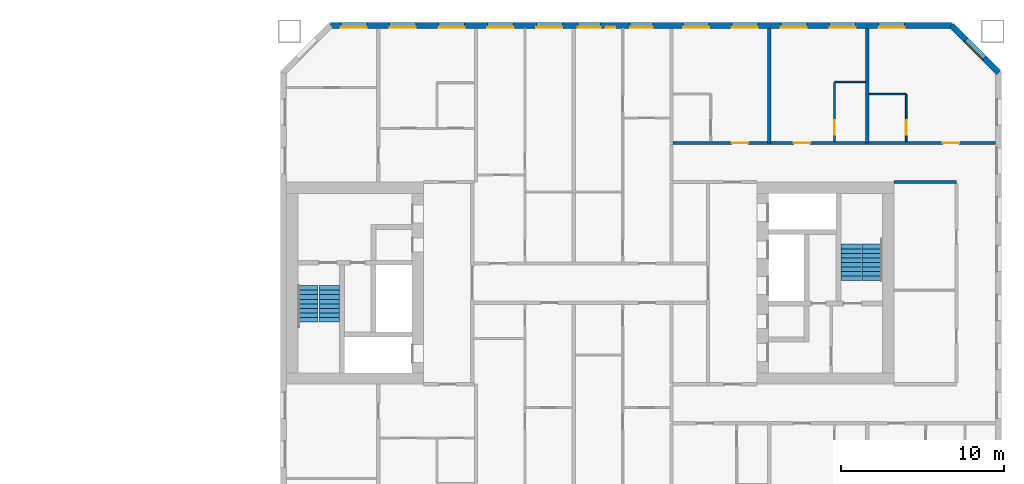
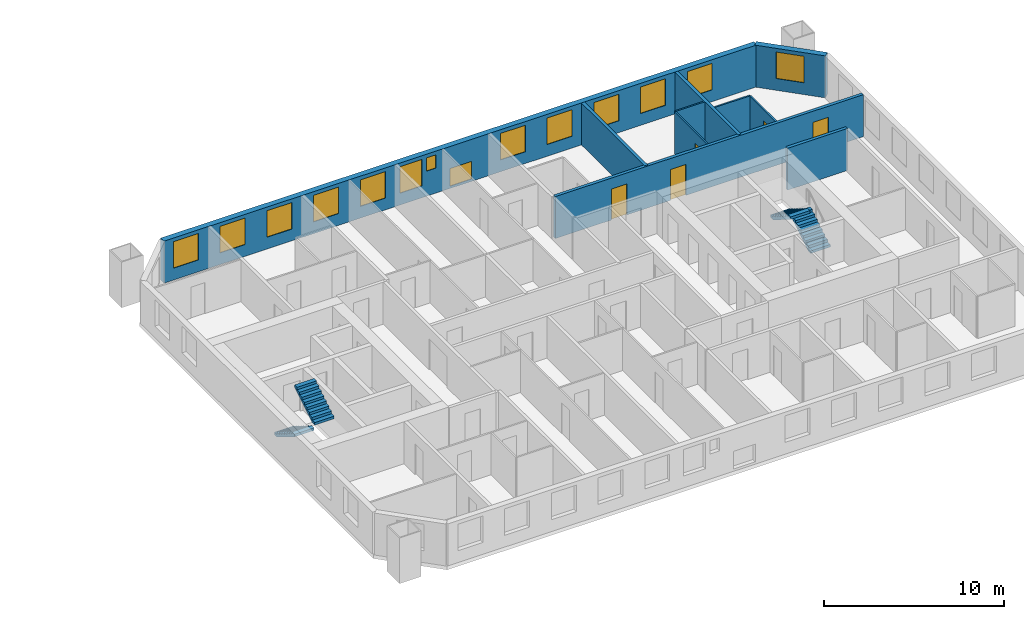
# One storey, part 14 of 16: 14 windows, 10 walls, 5 doors, 4 stair flights, 19 openings, 2 elements without a shape of their own.
"""IFC4 building model written with IfcOpenShell, lengths in metres."""

from ifc_helpers import new_model, si_unit, direction, frame, frame_2d, origin, place, context, subcontext, project, spatial, polyline, rectangle, outline, extrude, material, layer, layer_set, type_object, element, fill, aggregate, save


model = new_model("IFC4")

# Units and contexts
model_context = context("Model", 3, precision=1e-05, world=origin(), true_north=direction((0.0, 1.0)))
body_context = subcontext(model_context, "Body", "Model", "MODEL_VIEW")
ifc_project = project(units=[si_unit("LENGTHUNIT", "METRE"), si_unit("AREAUNIT", "SQUARE_METRE"), si_unit("VOLUMEUNIT", "CUBIC_METRE"), si_unit("PLANEANGLEUNIT", "RADIAN"), si_unit("MASSUNIT", "GRAM", prefix="KILO")], contexts=[model_context])

# Site, building, storey
site_placement = place(None, origin())
site = spatial("IfcSite", under=ifc_project, at=site_placement, CompositionType="ELEMENT")
building_placement = place(site_placement, origin())
building = spatial("IfcBuilding", under=site, at=building_placement, Name="Tuart Gate Housing", CompositionType="ELEMENT")
storey_placement = place(building_placement, frame((0.0, 0.0, 87.10009765625)))
storey = spatial("IfcBuildingStorey", under=building, at=storey_placement, Name="L24", CompositionType="ELEMENT", Elevation=87.10009765625)

# Wall, opening, window
ifc_material_1 = material(Name="Brick", Category="masonry")
ifc_layer_1 = layer(ifc_material_1, 0.360107421875)
ifc_layer_set_1 = layer_set([ifc_layer_1], Name="Brick pier and spandrel wall 360")
wall_type_1 = type_object("IfcWallType", Name="Brick pier and spandrel wall 360", PredefinedType="STANDARD", material=ifc_layer_set_1)
wall_1_placement = place(storey_placement, frame((175.070068359375, 82.92529296875, 0.0), z_axis=(0.0, 0.0, 1.0), x_axis=(-0.707106781187, 0.707106781187, 0.0)))
wall_1 = element("IfcWall", 1, at=wall_1_placement, inside=storey, type_object=wall_type_1, Name="External wall B-NE L24", PredefinedType="STANDARD", context=body_context, shape_type="SweptSolid", body=[
    extrude(rectangle(XDim=4.09375, YDim=0.360107421875, at=frame_2d((2.046875, 0.0))), origin(), (0.0, 0.0, 1.0), 2.849853515625),
])
opening_1_placement = place(wall_1_placement, frame((1.2470703125, 0.0, 0.800048828125)))
opening_1 = element("IfcOpeningElement", 2, at=opening_1_placement, cuts=wall_1, Name="Opening W1", PredefinedType="OPENING", context=body_context, shape_type="SweptSolid", body=[
    extrude(rectangle(XDim=1.60009765625, YDim=1.800048828125, at=frame_2d((0.800048828125, 0.89990234375))), frame((0.0, 0.18994140625, 0.0), z_axis=(0.0, -1.0, 0.0), x_axis=(1.0, 0.0, 0.0)), (0.0, 0.0, 1.0), 0.380126953125),
])
ifc_material_2 = material(Name="Aluminium frame with clear glass", Category="aluminium")
window_type_1 = type_object("IfcWindowType", Name="Punched window 1600 x 1800", PartitioningType="SINGLE_PANEL", PredefinedType="WINDOW", material=ifc_material_2)
window_1_placement = place(opening_1_placement, origin())
window_1 = element("IfcWindow", 3, at=window_1_placement, inside=storey, type_object=window_type_1, Name="Window W1", OverallHeight=1.800048828125, OverallWidth=1.60009765625, PartitioningType="SINGLE_PANEL", PredefinedType="WINDOW", context=body_context, shape_type="SweptSolid", body=[
    extrude(rectangle(XDim=1.60009765625, YDim=1.800048828125, at=frame_2d((0.800048828125, 0.89990234375))), frame((0.0, 0.150146484375, 0.0), z_axis=(0.0, -1.0, 0.0), x_axis=(1.0, 0.0, 0.0)), (0.0, 0.0, 1.0), 0.06005859375),
])
fill(opening_1, window_1)

# Wall, openings, windows
wall_2_placement = place(storey_placement, frame((172.17529296875, 85.820068359375, 0.0), z_axis=(0.0, 0.0, 1.0), x_axis=(-1.0, 0.0, 0.0)))
wall_2 = element("IfcWall", 4, at=wall_2_placement, inside=storey, type_object=wall_type_1, Name="External wall B-N L24", PredefinedType="STANDARD", context=body_context, shape_type="SweptSolid", body=[
    extrude(rectangle(XDim=38.100830078125, YDim=0.360107421875, at=frame_2d((19.05029296875, 0.0))), origin(), (0.0, 0.0, 1.0), 2.849853515625),
])
opening_2_placement = place(wall_2_placement, frame((2.87548828125, 0.0, 0.800048828125)))
opening_2 = element("IfcOpeningElement", 5, at=opening_2_placement, cuts=wall_2, Name="Opening W1", PredefinedType="OPENING", context=body_context, shape_type="SweptSolid", body=[
    extrude(rectangle(XDim=1.60009765625, YDim=1.800048828125, at=frame_2d((0.800048828125, 0.89990234375))), frame((0.0, 0.18994140625, 0.0), z_axis=(0.0, -1.0, 0.0), x_axis=(1.0, 0.0, 0.0)), (0.0, 0.0, 1.0), 0.380126953125),
])
opening_3_placement = place(wall_2_placement, frame((5.87548828125, 0.0, 0.800048828125)))
opening_3 = element("IfcOpeningElement", 6, at=opening_3_placement, cuts=wall_2, Name="Opening W1", PredefinedType="OPENING", context=body_context, shape_type="SweptSolid", body=[
    extrude(rectangle(XDim=1.60009765625, YDim=1.800048828125, at=frame_2d((0.800048828125, 0.89990234375))), frame((0.0, 0.18994140625, 0.0), z_axis=(0.0, -1.0, 0.0), x_axis=(1.0, 0.0, 0.0)), (0.0, 0.0, 1.0), 0.380126953125),
])
opening_4_placement = place(wall_2_placement, frame((8.87548828125, 0.0, 0.800048828125)))
opening_4 = element("IfcOpeningElement", 7, at=opening_4_placement, cuts=wall_2, Name="Opening W1", PredefinedType="OPENING", context=body_context, shape_type="SweptSolid", body=[
    extrude(rectangle(XDim=1.60009765625, YDim=1.800048828125, at=frame_2d((0.800048828125, 0.89990234375))), frame((0.0, 0.18994140625, 0.0), z_axis=(0.0, -1.0, 0.0), x_axis=(1.0, 0.0, 0.0)), (0.0, 0.0, 1.0), 0.380126953125),
])
opening_5_placement = place(wall_2_placement, frame((11.87548828125, 0.0, 0.800048828125)))
opening_5 = element("IfcOpeningElement", 8, at=opening_5_placement, cuts=wall_2, Name="Opening W1", PredefinedType="OPENING", context=body_context, shape_type="SweptSolid", body=[
    extrude(rectangle(XDim=1.60009765625, YDim=1.800048828125, at=frame_2d((0.800048828125, 0.89990234375))), frame((0.0, 0.18994140625, 0.0), z_axis=(0.0, -1.0, 0.0), x_axis=(1.0, 0.0, 0.0)), (0.0, 0.0, 1.0), 0.380126953125),
])
opening_6_placement = place(wall_2_placement, frame((14.87548828125, 0.0, 0.800048828125)))
opening_6 = element("IfcOpeningElement", 9, at=opening_6_placement, cuts=wall_2, Name="Opening W1", PredefinedType="OPENING", context=body_context, shape_type="SweptSolid", body=[
    extrude(rectangle(XDim=1.60009765625, YDim=1.800048828125, at=frame_2d((0.800048828125, 0.89990234375))), frame((0.0, 0.18994140625, 0.0), z_axis=(0.0, -1.0, 0.0), x_axis=(1.0, 0.0, 0.0)), (0.0, 0.0, 1.0), 0.380126953125),
])
opening_7_placement = place(wall_2_placement, frame((18.325439453125, 0.0, 0.14990234375)))
opening_7 = element("IfcOpeningElement", 10, at=opening_7_placement, cuts=wall_2, Name="Opening W1M", PredefinedType="OPENING", context=body_context, shape_type="SweptSolid", body=[
    extrude(rectangle(XDim=1.39990234375, YDim=1.199951171875, at=frame_2d((0.699951171875, 0.60009765625))), frame((0.0, 0.18994140625, 0.0), z_axis=(0.0, -1.0, 0.0), x_axis=(1.0, 0.0, 0.0)), (0.0, 0.0, 1.0), 0.380126953125),
])
opening_8_placement = place(wall_2_placement, frame((20.62548828125, 0.0, 1.699951171875)))
opening_8 = element("IfcOpeningElement", 11, at=opening_8_placement, cuts=wall_2, Name="Opening W1W", PredefinedType="OPENING", context=body_context, shape_type="SweptSolid", body=[
    extrude(rectangle(XDim=0.60009765625, YDim=0.89990234375, at=frame_2d((0.300048828125, 0.449951171875))), frame((0.0, 0.18994140625, 0.0), z_axis=(0.0, -1.0, 0.0), x_axis=(1.0, 0.0, 0.0)), (0.0, 0.0, 1.0), 0.380126953125),
])
opening_9_placement = place(wall_2_placement, frame((23.87548828125, 0.0, 0.800048828125)))
opening_9 = element("IfcOpeningElement", 12, at=opening_9_placement, cuts=wall_2, Name="Opening W1", PredefinedType="OPENING", context=body_context, shape_type="SweptSolid", body=[
    extrude(rectangle(XDim=1.60009765625, YDim=1.800048828125, at=frame_2d((0.800048828125, 0.89990234375))), frame((0.0, 0.18994140625, 0.0), z_axis=(0.0, -1.0, 0.0), x_axis=(1.0, 0.0, 0.0)), (0.0, 0.0, 1.0), 0.380126953125),
])
opening_10_placement = place(wall_2_placement, frame((26.87548828125, 0.0, 0.800048828125)))
opening_10 = element("IfcOpeningElement", 13, at=opening_10_placement, cuts=wall_2, Name="Opening W1", PredefinedType="OPENING", context=body_context, shape_type="SweptSolid", body=[
    extrude(rectangle(XDim=1.60009765625, YDim=1.800048828125, at=frame_2d((0.800048828125, 0.89990234375))), frame((0.0, 0.18994140625, 0.0), z_axis=(0.0, -1.0, 0.0), x_axis=(1.0, 0.0, 0.0)), (0.0, 0.0, 1.0), 0.380126953125),
])
opening_11_placement = place(wall_2_placement, frame((29.87548828125, 0.0, 0.800048828125)))
opening_11 = element("IfcOpeningElement", 14, at=opening_11_placement, cuts=wall_2, Name="Opening W1", PredefinedType="OPENING", context=body_context, shape_type="SweptSolid", body=[
    extrude(rectangle(XDim=1.60009765625, YDim=1.800048828125, at=frame_2d((0.800048828125, 0.89990234375))), frame((0.0, 0.18994140625, 0.0), z_axis=(0.0, -1.0, 0.0), x_axis=(1.0, 0.0, 0.0)), (0.0, 0.0, 1.0), 0.380126953125),
])
opening_12_placement = place(wall_2_placement, frame((32.87548828125, 0.0, 0.800048828125)))
opening_12 = element("IfcOpeningElement", 15, at=opening_12_placement, cuts=wall_2, Name="Opening W1", PredefinedType="OPENING", context=body_context, shape_type="SweptSolid", body=[
    extrude(rectangle(XDim=1.60009765625, YDim=1.800048828125, at=frame_2d((0.800048828125, 0.89990234375))), frame((0.0, 0.18994140625, 0.0), z_axis=(0.0, -1.0, 0.0), x_axis=(1.0, 0.0, 0.0)), (0.0, 0.0, 1.0), 0.380126953125),
])
opening_13_placement = place(wall_2_placement, frame((35.87548828125, 0.0, 0.800048828125)))
opening_13 = element("IfcOpeningElement", 16, at=opening_13_placement, cuts=wall_2, Name="Opening W1", PredefinedType="OPENING", context=body_context, shape_type="SweptSolid", body=[
    extrude(rectangle(XDim=1.60009765625, YDim=1.800048828125, at=frame_2d((0.800048828125, 0.89990234375))), frame((0.0, 0.18994140625, 0.0), z_axis=(0.0, -1.0, 0.0), x_axis=(1.0, 0.0, 0.0)), (0.0, 0.0, 1.0), 0.380126953125),
])
opening_14_placement = place(wall_2_placement, frame((21.525390625, 0.0, 0.800048828125)))
opening_14 = element("IfcOpeningElement", 17, at=opening_14_placement, cuts=wall_2, Name="Opening W1A", PredefinedType="OPENING", context=body_context, shape_type="SweptSolid", body=[
    extrude(rectangle(XDim=1.39990234375, YDim=1.800048828125, at=frame_2d((0.699951171875, 0.89990234375))), frame((0.0, 0.18994140625, 0.0), z_axis=(0.0, -1.0, 0.0), x_axis=(1.0, 0.0, 0.0)), (0.0, 0.0, 1.0), 0.380126953125),
])
ifc_material_3 = material(Name="Aluminium frame with clear glass", Category="aluminium")
window_type_2 = type_object("IfcWindowType", Name="Punched window 1400 x 1200", PartitioningType="SINGLE_PANEL", PredefinedType="WINDOW", material=ifc_material_3)
window_2_placement = place(opening_7_placement, origin())
window_2 = element("IfcWindow", 18, at=window_2_placement, inside=storey, type_object=window_type_2, Name="Window W1M", OverallHeight=1.199951171875, OverallWidth=1.39990234375, PartitioningType="SINGLE_PANEL", PredefinedType="WINDOW", context=body_context, shape_type="SweptSolid", body=[
    extrude(rectangle(XDim=1.39990234375, YDim=1.199951171875, at=frame_2d((0.699951171875, 0.60009765625))), frame((0.0, 0.150146484375, 0.0), z_axis=(0.0, -1.0, 0.0), x_axis=(1.0, 0.0, 0.0)), (0.0, 0.0, 1.0), 0.06005859375),
])
fill(opening_7, window_2)
ifc_material_4 = material(Name="Aluminium frame with clear glass", Category="aluminium")
window_type_3 = type_object("IfcWindowType", Name="Punched window 1400 x 1800", PartitioningType="SINGLE_PANEL", PredefinedType="WINDOW", material=ifc_material_4)
window_3_placement = place(opening_14_placement, origin())
window_3 = element("IfcWindow", 19, at=window_3_placement, inside=storey, type_object=window_type_3, Name="Window W1A", OverallHeight=1.800048828125, OverallWidth=1.39990234375, PartitioningType="SINGLE_PANEL", PredefinedType="WINDOW", context=body_context, shape_type="SweptSolid", body=[
    extrude(rectangle(XDim=1.39990234375, YDim=1.800048828125, at=frame_2d((0.699951171875, 0.89990234375))), frame((0.0, 0.150146484375, 0.0), z_axis=(0.0, -1.0, 0.0), x_axis=(1.0, 0.0, 0.0)), (0.0, 0.0, 1.0), 0.06005859375),
])
fill(opening_14, window_3)
window_4_placement = place(opening_2_placement, origin())
window_4 = element("IfcWindow", 20, at=window_4_placement, inside=storey, type_object=window_type_1, Name="Window W1", OverallHeight=1.800048828125, OverallWidth=1.60009765625, PartitioningType="SINGLE_PANEL", PredefinedType="WINDOW", context=body_context, shape_type="SweptSolid", body=[
    extrude(rectangle(XDim=1.60009765625, YDim=1.800048828125, at=frame_2d((0.800048828125, 0.89990234375))), frame((0.0, 0.150146484375, 0.0), z_axis=(0.0, -1.0, 0.0), x_axis=(1.0, 0.0, 0.0)), (0.0, 0.0, 1.0), 0.06005859375),
])
fill(opening_2, window_4)
window_5_placement = place(opening_3_placement, origin())
window_5 = element("IfcWindow", 21, at=window_5_placement, inside=storey, type_object=window_type_1, Name="Window W1", OverallHeight=1.800048828125, OverallWidth=1.60009765625, PartitioningType="SINGLE_PANEL", PredefinedType="WINDOW", context=body_context, shape_type="SweptSolid", body=[
    extrude(rectangle(XDim=1.60009765625, YDim=1.800048828125, at=frame_2d((0.800048828125, 0.89990234375))), frame((0.0, 0.150146484375, 0.0), z_axis=(0.0, -1.0, 0.0), x_axis=(1.0, 0.0, 0.0)), (0.0, 0.0, 1.0), 0.06005859375),
])
fill(opening_3, window_5)
window_6_placement = place(opening_4_placement, origin())
window_6 = element("IfcWindow", 22, at=window_6_placement, inside=storey, type_object=window_type_1, Name="Window W1", OverallHeight=1.800048828125, OverallWidth=1.60009765625, PartitioningType="SINGLE_PANEL", PredefinedType="WINDOW", context=body_context, shape_type="SweptSolid", body=[
    extrude(rectangle(XDim=1.60009765625, YDim=1.800048828125, at=frame_2d((0.800048828125, 0.89990234375))), frame((0.0, 0.150146484375, 0.0), z_axis=(0.0, -1.0, 0.0), x_axis=(1.0, 0.0, 0.0)), (0.0, 0.0, 1.0), 0.06005859375),
])
fill(opening_4, window_6)
window_7_placement = place(opening_5_placement, origin())
window_7 = element("IfcWindow", 23, at=window_7_placement, inside=storey, type_object=window_type_1, Name="Window W1", OverallHeight=1.800048828125, OverallWidth=1.60009765625, PartitioningType="SINGLE_PANEL", PredefinedType="WINDOW", context=body_context, shape_type="SweptSolid", body=[
    extrude(rectangle(XDim=1.60009765625, YDim=1.800048828125, at=frame_2d((0.800048828125, 0.89990234375))), frame((0.0, 0.150146484375, 0.0), z_axis=(0.0, -1.0, 0.0), x_axis=(1.0, 0.0, 0.0)), (0.0, 0.0, 1.0), 0.06005859375),
])
fill(opening_5, window_7)
window_8_placement = place(opening_6_placement, origin())
window_8 = element("IfcWindow", 24, at=window_8_placement, inside=storey, type_object=window_type_1, Name="Window W1", OverallHeight=1.800048828125, OverallWidth=1.60009765625, PartitioningType="SINGLE_PANEL", PredefinedType="WINDOW", context=body_context, shape_type="SweptSolid", body=[
    extrude(rectangle(XDim=1.60009765625, YDim=1.800048828125, at=frame_2d((0.800048828125, 0.89990234375))), frame((0.0, 0.150146484375, 0.0), z_axis=(0.0, -1.0, 0.0), x_axis=(1.0, 0.0, 0.0)), (0.0, 0.0, 1.0), 0.06005859375),
])
fill(opening_6, window_8)
window_9_placement = place(opening_9_placement, origin())
window_9 = element("IfcWindow", 25, at=window_9_placement, inside=storey, type_object=window_type_1, Name="Window W1", OverallHeight=1.800048828125, OverallWidth=1.60009765625, PartitioningType="SINGLE_PANEL", PredefinedType="WINDOW", context=body_context, shape_type="SweptSolid", body=[
    extrude(rectangle(XDim=1.60009765625, YDim=1.800048828125, at=frame_2d((0.800048828125, 0.89990234375))), frame((0.0, 0.150146484375, 0.0), z_axis=(0.0, -1.0, 0.0), x_axis=(1.0, 0.0, 0.0)), (0.0, 0.0, 1.0), 0.06005859375),
])
fill(opening_9, window_9)
window_10_placement = place(opening_10_placement, origin())
window_10 = element("IfcWindow", 26, at=window_10_placement, inside=storey, type_object=window_type_1, Name="Window W1", OverallHeight=1.800048828125, OverallWidth=1.60009765625, PartitioningType="SINGLE_PANEL", PredefinedType="WINDOW", context=body_context, shape_type="SweptSolid", body=[
    extrude(rectangle(XDim=1.60009765625, YDim=1.800048828125, at=frame_2d((0.800048828125, 0.89990234375))), frame((0.0, 0.150146484375, 0.0), z_axis=(0.0, -1.0, 0.0), x_axis=(1.0, 0.0, 0.0)), (0.0, 0.0, 1.0), 0.06005859375),
])
fill(opening_10, window_10)
window_11_placement = place(opening_11_placement, origin())
window_11 = element("IfcWindow", 27, at=window_11_placement, inside=storey, type_object=window_type_1, Name="Window W1", OverallHeight=1.800048828125, OverallWidth=1.60009765625, PartitioningType="SINGLE_PANEL", PredefinedType="WINDOW", context=body_context, shape_type="SweptSolid", body=[
    extrude(rectangle(XDim=1.60009765625, YDim=1.800048828125, at=frame_2d((0.800048828125, 0.89990234375))), frame((0.0, 0.150146484375, 0.0), z_axis=(0.0, -1.0, 0.0), x_axis=(1.0, 0.0, 0.0)), (0.0, 0.0, 1.0), 0.06005859375),
])
fill(opening_11, window_11)
window_12_placement = place(opening_12_placement, origin())
window_12 = element("IfcWindow", 28, at=window_12_placement, inside=storey, type_object=window_type_1, Name="Window W1", OverallHeight=1.800048828125, OverallWidth=1.60009765625, PartitioningType="SINGLE_PANEL", PredefinedType="WINDOW", context=body_context, shape_type="SweptSolid", body=[
    extrude(rectangle(XDim=1.60009765625, YDim=1.800048828125, at=frame_2d((0.800048828125, 0.89990234375))), frame((0.0, 0.150146484375, 0.0), z_axis=(0.0, -1.0, 0.0), x_axis=(1.0, 0.0, 0.0)), (0.0, 0.0, 1.0), 0.06005859375),
])
fill(opening_12, window_12)
window_13_placement = place(opening_13_placement, origin())
window_13 = element("IfcWindow", 29, at=window_13_placement, inside=storey, type_object=window_type_1, Name="Window W1", OverallHeight=1.800048828125, OverallWidth=1.60009765625, PartitioningType="SINGLE_PANEL", PredefinedType="WINDOW", context=body_context, shape_type="SweptSolid", body=[
    extrude(rectangle(XDim=1.60009765625, YDim=1.800048828125, at=frame_2d((0.800048828125, 0.89990234375))), frame((0.0, 0.150146484375, 0.0), z_axis=(0.0, -1.0, 0.0), x_axis=(1.0, 0.0, 0.0)), (0.0, 0.0, 1.0), 0.06005859375),
])
fill(opening_13, window_13)
ifc_material_5 = material(Name="Aluminium frame with clear glass", Category="aluminium")
window_type_4 = type_object("IfcWindowType", Name="Punched window 600 x 900", PartitioningType="SINGLE_PANEL", PredefinedType="WINDOW", material=ifc_material_5)
window_14_placement = place(opening_8_placement, origin())
window_14 = element("IfcWindow", 30, at=window_14_placement, inside=storey, type_object=window_type_4, Name="Window W1W", OverallHeight=0.89990234375, OverallWidth=0.60009765625, PartitioningType="SINGLE_PANEL", PredefinedType="WINDOW", context=body_context, shape_type="SweptSolid", body=[
    extrude(rectangle(XDim=0.60009765625, YDim=0.89990234375, at=frame_2d((0.300048828125, 0.449951171875))), frame((0.0, 0.150146484375, 0.0), z_axis=(0.0, -1.0, 0.0), x_axis=(1.0, 0.0, 0.0)), (0.0, 0.0, 1.0), 0.06005859375),
])
fill(opening_8, window_14)

# Wall
ifc_material_6 = material(Name="Concrete masonry 15 MPa", Category="masonry")
ifc_layer_2 = layer(ifc_material_6, 0.199951171875)
ifc_layer_set_2 = layer_set([ifc_layer_2], Name="Corridor wall masonry 200")
wall_type_2 = type_object("IfcWallType", Name="Corridor wall masonry 200", PredefinedType="PARTITIONING", material=ifc_layer_set_2)
wall_3_placement = place(storey_placement, frame((168.639892578125, 76.199951171875, 0.0), z_axis=(0.0, 0.0, 1.0), x_axis=(1.0, 0.0, 0.0)))
element("IfcWall", 31, at=wall_3_placement, inside=storey, type_object=wall_type_2, Name="Corridor wall masonry 200", PredefinedType="PARTITIONING", context=body_context, shape_type="SweptSolid", body=[
    extrude(rectangle(XDim=3.85009765625, YDim=0.199951171875, at=frame_2d((1.925048828125, 0.0))), origin(), (0.0, 0.0, 1.0), 2.849853515625),
])

# Wall, openings, doors
wall_4_placement = place(storey_placement, frame((155.10009765625, 78.60009765625, 0.0), z_axis=(0.0, 0.0, 1.0), x_axis=(1.0, 0.0, 0.0)))
wall_4 = element("IfcWall", 32, at=wall_4_placement, inside=storey, type_object=wall_type_2, Name="Corridor wall masonry 200", PredefinedType="PARTITIONING", context=body_context, shape_type="SweptSolid", body=[
    extrude(rectangle(XDim=19.789794921875, YDim=0.199951171875, at=frame_2d((9.89501953125, 0.0))), origin(), (0.0, 0.0, 1.0), 2.849853515625),
])
opening_15_placement = place(wall_4_placement, frame((3.60009765625, 0.0, 0.0)))
opening_15 = element("IfcOpeningElement", 33, at=opening_15_placement, cuts=wall_4, Name="Opening D1021", PredefinedType="OPENING", context=body_context, shape_type="SweptSolid", body=[
    extrude(rectangle(XDim=1.0, YDim=2.10009765625, at=frame_2d((0.5, 1.050048828125))), frame((0.0, 0.10986328125, 0.0), z_axis=(0.0, -1.0, 0.0), x_axis=(1.0, 0.0, 0.0)), (0.0, 0.0, 1.0), 0.219970703125),
])
opening_16_placement = place(wall_4_placement, frame((7.39990234375, 0.0, 0.0)))
opening_16 = element("IfcOpeningElement", 34, at=opening_16_placement, cuts=wall_4, Name="Opening D1022", PredefinedType="OPENING", context=body_context, shape_type="SweptSolid", body=[
    extrude(rectangle(XDim=1.0, YDim=2.10009765625, at=frame_2d((0.5, 1.050048828125))), frame((0.0, 0.10986328125, 0.0), z_axis=(0.0, -1.0, 0.0), x_axis=(1.0, 0.0, 0.0)), (0.0, 0.0, 1.0), 0.219970703125),
])
opening_17_placement = place(wall_4_placement, frame((16.544921875, 0.0, 0.0)))
opening_17 = element("IfcOpeningElement", 35, at=opening_17_placement, cuts=wall_4, Name="Opening D1023", PredefinedType="OPENING", context=body_context, shape_type="SweptSolid", body=[
    extrude(rectangle(XDim=1.0, YDim=2.10009765625, at=frame_2d((0.5, 1.050048828125))), frame((0.0, 0.10986328125, 0.0), z_axis=(0.0, -1.0, 0.0), x_axis=(1.0, 0.0, 0.0)), (0.0, 0.0, 1.0), 0.219970703125),
])
ifc_material_7 = material(Name="Timber door leaf in steel frame", Category="steel")
door_type_1 = type_object("IfcDoorType", Name="Flat entrance door 1000", OperationType="SINGLE_SWING_LEFT", PredefinedType="DOOR", material=ifc_material_7)
door_1_placement = place(opening_15_placement, origin())
door_1 = element("IfcDoor", 36, at=door_1_placement, inside=storey, type_object=door_type_1, Name="Flat entrance door", OperationType="SINGLE_SWING_LEFT", OverallHeight=2.10009765625, OverallWidth=1.0, PredefinedType="DOOR", context=body_context, shape_type="SweptSolid", body=[
    extrude(rectangle(XDim=1.0, YDim=2.10009765625, at=frame_2d((0.5, 1.050048828125))), frame((0.0, 0.02490234375, 0.0), z_axis=(0.0, -1.0, 0.0), x_axis=(1.0, 0.0, 0.0)), (0.0, 0.0, 1.0), 0.050048828125),
])
fill(opening_15, door_1)
door_2_placement = place(opening_16_placement, origin())
door_2 = element("IfcDoor", 37, at=door_2_placement, inside=storey, type_object=door_type_1, Name="Flat entrance door", OperationType="SINGLE_SWING_LEFT", OverallHeight=2.10009765625, OverallWidth=1.0, PredefinedType="DOOR", context=body_context, shape_type="SweptSolid", body=[
    extrude(rectangle(XDim=1.0, YDim=2.10009765625, at=frame_2d((0.5, 1.050048828125))), frame((0.0, 0.02490234375, 0.0), z_axis=(0.0, -1.0, 0.0), x_axis=(1.0, 0.0, 0.0)), (0.0, 0.0, 1.0), 0.050048828125),
])
fill(opening_16, door_2)
door_3_placement = place(opening_17_placement, origin())
door_3 = element("IfcDoor", 38, at=door_3_placement, inside=storey, type_object=door_type_1, Name="Flat entrance door", OperationType="SINGLE_SWING_LEFT", OverallHeight=2.10009765625, OverallWidth=1.0, PredefinedType="DOOR", context=body_context, shape_type="SweptSolid", body=[
    extrude(rectangle(XDim=1.0, YDim=2.10009765625, at=frame_2d((0.5, 1.050048828125))), frame((0.0, 0.02490234375, 0.0), z_axis=(0.0, -1.0, 0.0), x_axis=(1.0, 0.0, 0.0)), (0.0, 0.0, 1.0), 0.050048828125),
])
fill(opening_17, door_3)

# Walls
ifc_material_8 = material(Name="Gypsum board on steel studs", Category="steel")
ifc_layer_3 = layer(ifc_material_8, 0.10009765625)
ifc_layer_set_3 = layer_set([ifc_layer_3], Name="Partition 100")
wall_type_3 = type_object("IfcWallType", Name="Partition 100", PredefinedType="PARTITIONING", material=ifc_layer_set_3)
wall_5_placement = place(storey_placement, frame((167.10009765625, 81.60009765625, 0.0), z_axis=(0.0, 0.0, 1.0), x_axis=(1.0, 0.0, 0.0)))
element("IfcWall", 39, at=wall_5_placement, inside=storey, type_object=wall_type_3, Name="Partition 100", PredefinedType="PARTITIONING", context=body_context, shape_type="SweptSolid", body=[
    extrude(rectangle(XDim=2.2998046875, YDim=0.10009765625, at=frame_2d((1.14990234375, 0.0))), origin(), (0.0, 0.0, 1.0), 2.849853515625),
])
wall_6_placement = place(storey_placement, frame((165.0, 82.35009765625, 0.0), z_axis=(0.0, 0.0, 1.0), x_axis=(1.0, 0.0, 0.0)))
element("IfcWall", 40, at=wall_6_placement, inside=storey, type_object=wall_type_3, Name="Partition 100", PredefinedType="PARTITIONING", context=body_context, shape_type="SweptSolid", body=[
    extrude(rectangle(XDim=1.89990234375, YDim=0.10009765625, at=frame_2d((0.949951171875, 0.0))), origin(), (0.0, 0.0, 1.0), 2.849853515625),
])

# Wall, opening, door
wall_7_placement = place(storey_placement, frame((165.0, 78.699951171875, 0.0), z_axis=(0.0, 0.0, 1.0), x_axis=(0.0, 1.0, 0.0)))
wall_7 = element("IfcWall", 41, at=wall_7_placement, inside=storey, type_object=wall_type_3, Name="Partition 100", PredefinedType="PARTITIONING", context=body_context, shape_type="SweptSolid", body=[
    extrude(rectangle(XDim=3.60009765625, YDim=0.10009765625, at=frame_2d((1.800048828125, 0.0))), origin(), (0.0, 0.0, 1.0), 2.849853515625),
])
opening_18_placement = place(wall_7_placement, frame((0.39990234375, 0.0, 0.0)))
opening_18 = element("IfcOpeningElement", 42, at=opening_18_placement, cuts=wall_7, Name="Opening D1015", PredefinedType="OPENING", context=body_context, shape_type="SweptSolid", body=[
    extrude(rectangle(XDim=0.89990234375, YDim=2.10009765625, at=frame_2d((0.449951171875, 1.050048828125))), frame((0.0, 0.06005859375, 0.0), z_axis=(0.0, -1.0, 0.0), x_axis=(1.0, 0.0, 0.0)), (0.0, 0.0, 1.0), 0.1201171875),
])
ifc_material_9 = material(Name="Timber door leaf in steel frame", Category="steel")
door_type_2 = type_object("IfcDoorType", Name="Bathroom door 900 RH", OperationType="SINGLE_SWING_RIGHT", PredefinedType="DOOR", material=ifc_material_9)
door_4_placement = place(opening_18_placement, frame((0.89990234375, 0.0, 0.0), z_axis=(0.0, 0.0, 1.0), x_axis=(-1.0, 0.0, 0.0)))
door_4 = element("IfcDoor", 43, at=door_4_placement, inside=storey, type_object=door_type_2, Name="Bathroom door", OperationType="SINGLE_SWING_RIGHT", OverallHeight=2.10009765625, OverallWidth=0.89990234375, PredefinedType="DOOR", context=body_context, shape_type="SweptSolid", body=[
    extrude(rectangle(XDim=0.89990234375, YDim=2.10009765625, at=frame_2d((0.449951171875, 1.050048828125))), frame((0.0, 0.025146484375, 0.0), z_axis=(0.0, -1.0, 0.0), x_axis=(1.0, 0.0, 0.0)), (0.0, 0.0, 1.0), 0.050048828125),
])
fill(opening_18, door_4)

wall_8_placement = place(storey_placement, frame((169.39990234375, 78.699951171875, 0.0), z_axis=(0.0, 0.0, 1.0), x_axis=(0.0, 1.0, 0.0)))
wall_8 = element("IfcWall", 44, at=wall_8_placement, inside=storey, type_object=wall_type_3, Name="Partition 100", PredefinedType="PARTITIONING", context=body_context, shape_type="SweptSolid", body=[
    extrude(rectangle(XDim=2.85009765625, YDim=0.10009765625, at=frame_2d((1.425048828125, 0.0))), origin(), (0.0, 0.0, 1.0), 2.849853515625),
])
opening_19_placement = place(wall_8_placement, frame((0.39990234375, 0.0, 0.0)))
opening_19 = element("IfcOpeningElement", 45, at=opening_19_placement, cuts=wall_8, Name="Opening D1018", PredefinedType="OPENING", context=body_context, shape_type="SweptSolid", body=[
    extrude(rectangle(XDim=0.89990234375, YDim=2.10009765625, at=frame_2d((0.449951171875, 1.050048828125))), frame((0.0, 0.06005859375, 0.0), z_axis=(0.0, -1.0, 0.0), x_axis=(1.0, 0.0, 0.0)), (0.0, 0.0, 1.0), 0.1201171875),
])
ifc_material_10 = material(Name="Timber door leaf in steel frame", Category="steel")
door_type_3 = type_object("IfcDoorType", Name="Bathroom door 900", OperationType="SINGLE_SWING_LEFT", PredefinedType="DOOR", material=ifc_material_10)
door_5_placement = place(opening_19_placement, origin())
door_5 = element("IfcDoor", 46, at=door_5_placement, inside=storey, type_object=door_type_3, Name="Bathroom door", OperationType="SINGLE_SWING_LEFT", OverallHeight=2.10009765625, OverallWidth=0.89990234375, PredefinedType="DOOR", context=body_context, shape_type="SweptSolid", body=[
    extrude(rectangle(XDim=0.89990234375, YDim=2.10009765625, at=frame_2d((0.449951171875, 1.050048828125))), frame((0.0, 0.02490234375, 0.0), z_axis=(0.0, -1.0, 0.0), x_axis=(1.0, 0.0, 0.0)), (0.0, 0.0, 1.0), 0.050048828125),
])
fill(opening_19, door_5)

# Walls
ifc_material_11 = material(Name="Concrete C40", Category="concrete")
ifc_layer_4 = layer(ifc_material_11, 0.199951171875)
ifc_layer_set_4 = layer_set([ifc_layer_4], Name="Party wall concrete C40 200")
wall_type_4 = type_object("IfcWallType", Name="Party wall concrete C40 200", PredefinedType="SOLIDWALL", material=ifc_layer_set_4)
for number, where, z_axis, x_axis, name in (
    (47, (161.0, 78.60009765625, 0.0), (0.0, 0.0, 1.0), (0.0, 1.0, 0.0), "Party wall concrete C40 200"),
    (48, (167.0, 78.60009765625, 0.0), (0.0, 0.0, 1.0), (0.0, 1.0, 0.0), "Party wall concrete C40 200"),
):
    element("IfcWall", number, at=place(storey_placement, frame(where, z_axis=z_axis, x_axis=x_axis)), inside=storey, type_object=wall_type_4, Name=name, PredefinedType="SOLIDWALL", context=body_context, shape_type="SweptSolid", body=[
        extrude(rectangle(XDim=7.039794921875, YDim=0.199951171875, at=frame_2d((3.52001953125, 0.0))), origin(), (0.0, 0.0, 1.0), 2.849853515625),
    ])

# Stair, stair flights
ifc_material_12 = material(Name="Concrete C40", Category="concrete")
stair_type = type_object("IfcStairType", Name="Core stair 1250", PredefinedType="HALF_TURN_STAIR", material=ifc_material_12)
stair_1_placement = place(storey_placement, origin())
stair_1 = element("IfcStair", 49, at=stair_1_placement, inside=storey, type_object=stair_type, Name="Stair SB1", PredefinedType="HALF_TURN_STAIR")
ifc_material_13 = material(Name="Concrete C40", Category="concrete")
stair_flight_type = type_object("IfcStairFlightType", Name="Stair flight 1250, 9 risers 172 x 280", PredefinedType="STRAIGHT", material=ifc_material_13)
stair_flight_1_placement = place(storey_placement, frame((132.68505859375, 69.85009765625, 0.0), z_axis=(0.0, 0.0, 1.0), x_axis=(0.0, -1.0, 0.0)))
stair_flight_1 = element("IfcStairFlight", 50, at=stair_flight_1_placement, type_object=stair_flight_type, Name="SB1 flight 1", NumberOfRisers=9, NumberOfTreads=8, PredefinedType="STRAIGHT", RiserHeight=0.172222222, TreadLength=0.28, context=body_context, shape_type="SweptSolid", body=[
    extrude(outline(polyline([(0.0, 0.0), (0.0, 0.172119140625), (0.280029296875, 0.172119140625), (0.280029296875, 0.344482421875), (0.56005859375, 0.344482421875), (0.56005859375, 0.5166015625), (0.840087890625, 0.5166015625), (0.840087890625, 0.68896484375), (1.1201171875, 0.68896484375), (1.1201171875, 0.861083984375), (1.39990234375, 0.861083984375), (1.39990234375, 1.033447265625), (1.679931640625, 1.033447265625), (1.679931640625, 1.20556640625), (1.9599609375, 1.20556640625), (1.9599609375, 1.377685546875), (2.239990234375, 1.377685546875), (2.239990234375, 1.550048828125), (2.239990234375, 1.201904296875), (0.2861328125, 0.0), (0.0, 0.0)])), frame((0.0, 0.625, 0.0), z_axis=(0.0, -1.0, 0.0), x_axis=(1.0, 0.0, 0.0)), (0.0, 0.0, 1.0), 1.25),
])
stair_flight_2_placement = place(storey_placement, frame((133.985107421875, 67.610107421875, 1.5498046875), z_axis=(0.0, 0.0, 1.0), x_axis=(0.0, 1.0, 0.0)))
stair_flight_2 = element("IfcStairFlight", 51, at=stair_flight_2_placement, type_object=stair_flight_type, Name="SB1 flight 2", NumberOfRisers=9, NumberOfTreads=8, PredefinedType="STRAIGHT", RiserHeight=0.172222222, TreadLength=0.28, context=body_context, shape_type="SweptSolid", body=[
    extrude(outline(polyline([(0.0, 0.0), (0.0, 0.172119140625), (0.280029296875, 0.172119140625), (0.280029296875, 0.344482421875), (0.56005859375, 0.344482421875), (0.56005859375, 0.5166015625), (0.840087890625, 0.5166015625), (0.840087890625, 0.68896484375), (1.1201171875, 0.68896484375), (1.1201171875, 0.861083984375), (1.39990234375, 0.861083984375), (1.39990234375, 1.033447265625), (1.679931640625, 1.033447265625), (1.679931640625, 1.20556640625), (1.9599609375, 1.20556640625), (1.9599609375, 1.377685546875), (2.239990234375, 1.377685546875), (2.239990234375, 1.550048828125), (2.239990234375, 1.201904296875), (0.2861328125, 0.0), (0.0, 0.0)])), frame((0.0, 0.625, 0.0), z_axis=(0.0, -1.0, 0.0), x_axis=(1.0, 0.0, 0.0)), (0.0, 0.0, 1.0), 1.25),
])
aggregate(stair_1, [stair_flight_1, stair_flight_2])

stair_2_placement = place(storey_placement, origin())
stair_2 = element("IfcStair", 52, at=stair_2_placement, inside=storey, type_object=stair_type, Name="Stair SB2", PredefinedType="HALF_TURN_STAIR")
stair_flight_3_placement = place(storey_placement, frame((167.31494140625, 70.14990234375, 0.0), z_axis=(0.0, 0.0, 1.0), x_axis=(0.0, 1.0, 0.0)))
stair_flight_3 = element("IfcStairFlight", 53, at=stair_flight_3_placement, type_object=stair_flight_type, Name="SB2 flight 1", NumberOfRisers=9, NumberOfTreads=8, PredefinedType="STRAIGHT", RiserHeight=0.172222222, TreadLength=0.28, context=body_context, shape_type="SweptSolid", body=[
    extrude(outline(polyline([(0.0, 0.0), (0.0, 0.172119140625), (0.280029296875, 0.172119140625), (0.280029296875, 0.344482421875), (0.56005859375, 0.344482421875), (0.56005859375, 0.5166015625), (0.840087890625, 0.5166015625), (0.840087890625, 0.68896484375), (1.1201171875, 0.68896484375), (1.1201171875, 0.861083984375), (1.39990234375, 0.861083984375), (1.39990234375, 1.033447265625), (1.679931640625, 1.033447265625), (1.679931640625, 1.20556640625), (1.9599609375, 1.20556640625), (1.9599609375, 1.377685546875), (2.239990234375, 1.377685546875), (2.239990234375, 1.550048828125), (2.239990234375, 1.201904296875), (0.2861328125, 0.0), (0.0, 0.0)])), frame((0.0, 0.625, 0.0), z_axis=(0.0, -1.0, 0.0), x_axis=(1.0, 0.0, 0.0)), (0.0, 0.0, 1.0), 1.25),
])
stair_flight_4_placement = place(storey_placement, frame((166.014892578125, 72.389892578125, 1.5498046875), z_axis=(0.0, 0.0, 1.0), x_axis=(0.0, -1.0, 0.0)))
stair_flight_4 = element("IfcStairFlight", 54, at=stair_flight_4_placement, type_object=stair_flight_type, Name="SB2 flight 2", NumberOfRisers=9, NumberOfTreads=8, PredefinedType="STRAIGHT", RiserHeight=0.172222222, TreadLength=0.28, context=body_context, shape_type="SweptSolid", body=[
    extrude(outline(polyline([(0.0, 0.0), (0.0, 0.172119140625), (0.280029296875, 0.172119140625), (0.280029296875, 0.344482421875), (0.56005859375, 0.344482421875), (0.56005859375, 0.5166015625), (0.840087890625, 0.5166015625), (0.840087890625, 0.68896484375), (1.1201171875, 0.68896484375), (1.1201171875, 0.861083984375), (1.39990234375, 0.861083984375), (1.39990234375, 1.033447265625), (1.679931640625, 1.033447265625), (1.679931640625, 1.20556640625), (1.9599609375, 1.20556640625), (1.9599609375, 1.377685546875), (2.239990234375, 1.377685546875), (2.239990234375, 1.550048828125), (2.239990234375, 1.201904296875), (0.2861328125, 0.0), (0.0, 0.0)])), frame((0.0, 0.625, 0.0), z_axis=(0.0, -1.0, 0.0), x_axis=(1.0, 0.0, 0.0)), (0.0, 0.0, 1.0), 1.25),
])
aggregate(stair_2, [stair_flight_3, stair_flight_4])

save(model, "model.ifc")
